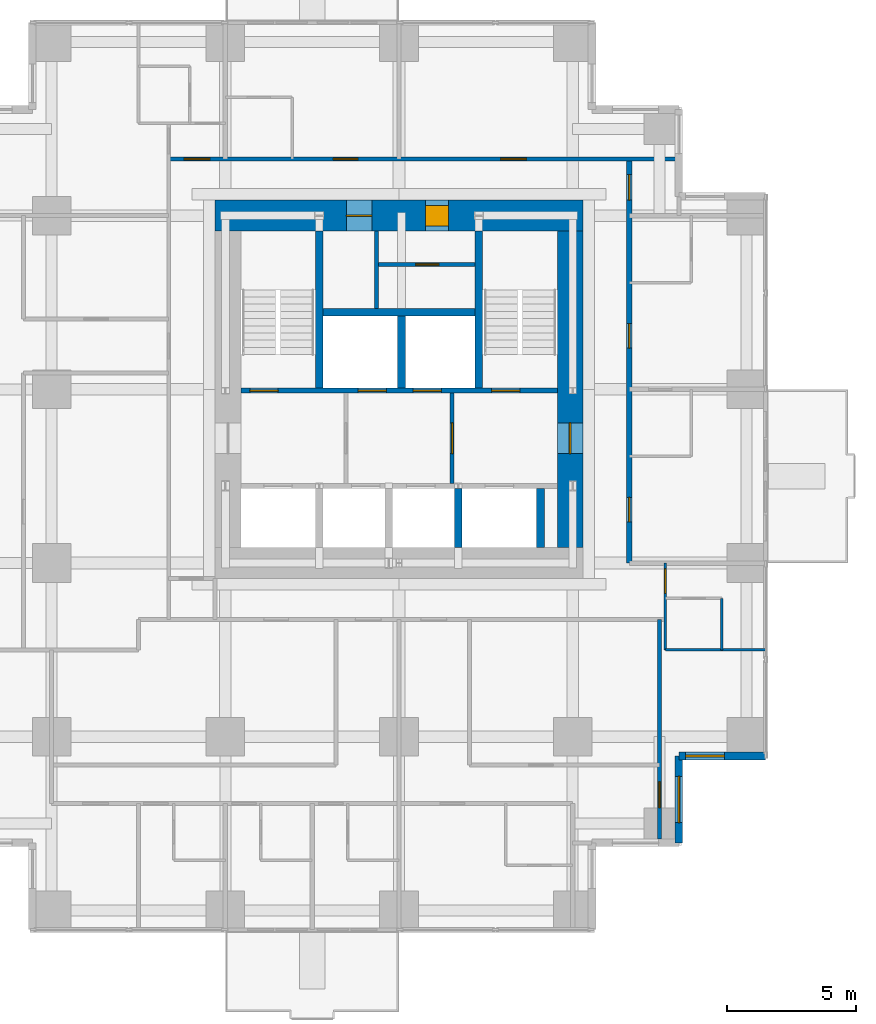
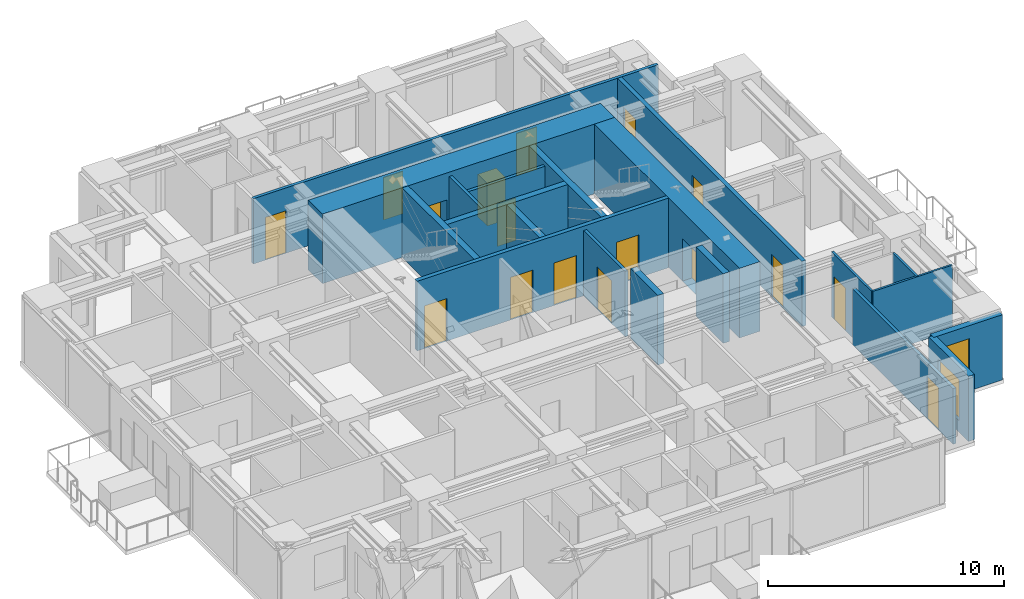
# One storey, part 7 of 10: 20 walls, 17 doors, 2 windows, 19 openings.
"""IFC4 building model written with IfcOpenShell, lengths in metres."""

from ifc_helpers import new_model, si_unit, direction, frame, frame_2d, origin, place, context, subcontext, project, spatial, rectangle, extrude, material, layer, layer_set, type_object, element, fill, save


model = new_model("IFC4")

# Units and contexts
model_context = context("Model", 3, precision=1e-05, world=origin(), true_north=direction((0.0, 1.0)))
body_context = subcontext(model_context, "Body", "Model", "MODEL_VIEW")
ifc_project = project(units=[si_unit("LENGTHUNIT", "METRE"), si_unit("AREAUNIT", "SQUARE_METRE"), si_unit("VOLUMEUNIT", "CUBIC_METRE"), si_unit("PLANEANGLEUNIT", "RADIAN"), si_unit("MASSUNIT", "GRAM", prefix="KILO")], contexts=[model_context])

# Site, building, storey
site_placement = place(None, origin())
site = spatial("IfcSite", under=ifc_project, at=site_placement, CompositionType="ELEMENT")
building_placement = place(site_placement, origin())
building = spatial("IfcBuilding", under=site, at=building_placement, Name="Nyansa Garden Tower", CompositionType="ELEMENT")
storey_placement = place(building_placement, frame((0.0, 0.0, 149.39990234375)))
storey = spatial("IfcBuildingStorey", under=building, at=storey_placement, Name="L40", CompositionType="ELEMENT", Elevation=149.39990234375)

# Wall, openings, doors
ifc_material_1 = material(Name="Concrete C70/85", Category="concrete")
ifc_layer_1 = layer(ifc_material_1, 0.199951171875)
ifc_layer_set_1 = layer_set([ifc_layer_1], Name="Core inner wall CI200")
wall_type_1 = type_object("IfcWallType", Name="Core inner wall CI200", PredefinedType="SHEAR", material=ifc_layer_set_1)
wall_1_placement = place(storey_placement, frame((14.10009765625, 20.199951171875, 0.0), z_axis=(0.0, 0.0, 1.0), x_axis=(1.0, 0.0, 0.0)))
wall_1 = element("IfcWall", 1, at=wall_1_placement, inside=storey, type_object=wall_type_1, Name="Core inner wall L40", PredefinedType="SHEAR", context=body_context, shape_type="SweptSolid", body=[
    extrude(rectangle(XDim=12.2998046875, YDim=0.199951171875, at=frame_2d((6.14990234375, 0.0))), origin(), (0.0, 0.0, 1.0), 3.60009765625),
])
opening_1_placement = place(wall_1_placement, frame((4.56005859375, 0.0, 0.0)))
opening_1 = element("IfcOpeningElement", 2, at=opening_1_placement, cuts=wall_1, Name="Opening LD-B", PredefinedType="OPENING", context=body_context, shape_type="SweptSolid", body=[
    extrude(rectangle(XDim=1.10009765625, YDim=2.199951171875, at=frame_2d((0.550048828125, 1.10009765625))), frame((0.0, 0.10986328125, 0.0), z_axis=(0.0, -1.0, 0.0), x_axis=(1.0, 0.0, 0.0)), (0.0, 0.0, 1.0), 0.219970703125),
])
opening_2_placement = place(wall_1_placement, frame((6.699951171875, 0.0, 0.0)))
opening_2 = element("IfcOpeningElement", 3, at=opening_2_placement, cuts=wall_1, Name="Opening LD-B", PredefinedType="OPENING", context=body_context, shape_type="SweptSolid", body=[
    extrude(rectangle(XDim=1.10009765625, YDim=2.199951171875, at=frame_2d((0.550048828125, 1.10009765625))), frame((0.0, 0.10986328125, 0.0), z_axis=(0.0, -1.0, 0.0), x_axis=(1.0, 0.0, 0.0)), (0.0, 0.0, 1.0), 0.219970703125),
])
opening_3_placement = place(wall_1_placement, frame((0.35009765625, 0.0, 0.0)))
opening_3 = element("IfcOpeningElement", 4, at=opening_3_placement, cuts=wall_1, Name="Opening D05", PredefinedType="OPENING", context=body_context, shape_type="SweptSolid", body=[
    extrude(rectangle(XDim=1.10009765625, YDim=2.199951171875, at=frame_2d((0.550048828125, 1.10009765625))), frame((0.0, 0.10986328125, 0.0), z_axis=(0.0, -1.0, 0.0), x_axis=(1.0, 0.0, 0.0)), (0.0, 0.0, 1.0), 0.219970703125),
])
opening_4_placement = place(wall_1_placement, frame((9.75, 0.0, 0.0)))
opening_4 = element("IfcOpeningElement", 5, at=opening_4_placement, cuts=wall_1, Name="Opening D05", PredefinedType="OPENING", context=body_context, shape_type="SweptSolid", body=[
    extrude(rectangle(XDim=1.10009765625, YDim=2.199951171875, at=frame_2d((0.550048828125, 1.10009765625))), frame((0.0, 0.10986328125, 0.0), z_axis=(0.0, -1.0, 0.0), x_axis=(1.0, 0.0, 0.0)), (0.0, 0.0, 1.0), 0.219970703125),
])
ifc_material_2 = material(Name="Stainless steel centre-opening landing door of the high-rise lift, E 120", Category="steel")
door_type_1 = type_object("IfcDoorType", Name="Lift landing door LD-B 1100x2200", OperationType="DOUBLE_DOOR_SLIDING", PredefinedType="DOOR", material=ifc_material_2)
door_1_placement = place(opening_1_placement, origin())
door_1 = element("IfcDoor", 6, at=door_1_placement, inside=storey, type_object=door_type_1, Name="Landing door B3", OperationType="DOUBLE_DOOR_SLIDING", OverallHeight=2.199951171875, OverallWidth=1.10009765625, PredefinedType="DOOR", context=body_context, shape_type="SweptSolid", body=[
    extrude(rectangle(XDim=1.10009765625, YDim=2.199951171875, at=frame_2d((0.550048828125, 1.10009765625))), frame((0.0, 0.02490234375, 0.0), z_axis=(0.0, -1.0, 0.0), x_axis=(1.0, 0.0, 0.0)), (0.0, 0.0, 1.0), 0.050048828125),
])
fill(opening_1, door_1)
door_2_placement = place(opening_2_placement, origin())
door_2 = element("IfcDoor", 7, at=door_2_placement, inside=storey, type_object=door_type_1, Name="Landing door B4", OperationType="DOUBLE_DOOR_SLIDING", OverallHeight=2.199951171875, OverallWidth=1.10009765625, PredefinedType="DOOR", context=body_context, shape_type="SweptSolid", body=[
    extrude(rectangle(XDim=1.10009765625, YDim=2.199951171875, at=frame_2d((0.550048828125, 1.10009765625))), frame((0.0, 0.02490234375, 0.0), z_axis=(0.0, -1.0, 0.0), x_axis=(1.0, 0.0, 0.0)), (0.0, 0.0, 1.0), 0.050048828125),
])
fill(opening_2, door_2)
ifc_material_3 = material(Name="Steel door, 120 minute fire resisting", Category="steel")
door_type_2 = type_object("IfcDoorType", Name="Stair door D05 1100x2200", OperationType="SINGLE_SWING_LEFT", PredefinedType="DOOR", material=ifc_material_3)
door_3_placement = place(opening_3_placement, origin())
door_3 = element("IfcDoor", 8, at=door_3_placement, inside=storey, type_object=door_type_2, Name="Stair S1 door", OperationType="SINGLE_SWING_LEFT", OverallHeight=2.199951171875, OverallWidth=1.10009765625, PredefinedType="DOOR", context=body_context, shape_type="SweptSolid", body=[
    extrude(rectangle(XDim=1.10009765625, YDim=2.199951171875, at=frame_2d((0.550048828125, 1.10009765625))), frame((0.0, 0.02490234375, 0.0), z_axis=(0.0, -1.0, 0.0), x_axis=(1.0, 0.0, 0.0)), (0.0, 0.0, 1.0), 0.050048828125),
])
fill(opening_3, door_3)
door_4_placement = place(opening_4_placement, origin())
door_4 = element("IfcDoor", 9, at=door_4_placement, inside=storey, type_object=door_type_2, Name="Stair S2 door", OperationType="SINGLE_SWING_LEFT", OverallHeight=2.199951171875, OverallWidth=1.10009765625, PredefinedType="DOOR", context=body_context, shape_type="SweptSolid", body=[
    extrude(rectangle(XDim=1.10009765625, YDim=2.199951171875, at=frame_2d((0.550048828125, 1.10009765625))), frame((0.0, 0.02490234375, 0.0), z_axis=(0.0, -1.0, 0.0), x_axis=(1.0, 0.0, 0.0)), (0.0, 0.0, 1.0), 0.050048828125),
])
fill(opening_4, door_4)

# Walls
ifc_material_4 = material(Name="Concrete C70/85", Category="concrete")
ifc_layer_2 = layer(ifc_material_4, 0.300048828125)
ifc_layer_set_2 = layer_set([ifc_layer_2], Name="Core inner wall CI300")
wall_type_2 = type_object("IfcWallType", Name="Core inner wall CI300", PredefinedType="SHEAR", material=ifc_layer_set_2)
for number, where, z_axis, x_axis, name in (
    (10, (17.14990234375, 20.300048828125, 0.0), (0.0, 0.0, 1.0), (0.0, 1.0, 0.0), "Core inner wall L40"),
    (11, (23.35009765625, 20.300048828125, 0.0), (0.0, 0.0, 1.0), (0.0, 1.0, 0.0), "Core inner wall L40"),
):
    element("IfcWall", number, at=place(storey_placement, frame(where, z_axis=z_axis, x_axis=x_axis)), inside=storey, type_object=wall_type_2, Name=name, PredefinedType="SHEAR", context=body_context, shape_type="SweptSolid", body=[
        extrude(rectangle(XDim=6.099853515625, YDim=0.300048828125, at=frame_2d((3.0498046875, 0.0))), origin(), (0.0, 0.0, 1.0), 3.60009765625),
    ])
wall_2_placement = place(storey_placement, frame((20.35009765625, 20.300048828125, 0.0), z_axis=(0.0, 0.0, 1.0), x_axis=(0.0, 1.0, 0.0)))
element("IfcWall", 12, at=wall_2_placement, inside=storey, type_object=wall_type_2, Name="Core inner wall L40", PredefinedType="SHEAR", context=body_context, shape_type="SweptSolid", body=[
    extrude(rectangle(XDim=2.800048828125, YDim=0.300048828125, at=frame_2d((1.39990234375, 0.0))), origin(), (0.0, 0.0, 1.0), 3.60009765625),
])
wall_3_placement = place(storey_placement, frame((17.300048828125, 23.25, 0.0), z_axis=(0.0, 0.0, 1.0), x_axis=(1.0, 0.0, 0.0)))
element("IfcWall", 13, at=wall_3_placement, inside=storey, type_object=wall_type_2, Name="Core inner wall L40", PredefinedType="SHEAR", context=body_context, shape_type="SweptSolid", body=[
    extrude(rectangle(XDim=5.89990234375, YDim=0.300048828125, at=frame_2d((2.949951171875, 0.0))), origin(), (0.0, 0.0, 1.0), 3.60009765625),
])
for number, where, z_axis, x_axis, name in (
    (14, (22.550048828125, 14.10009765625, 0.0), (0.0, 0.0, 1.0), (0.0, 1.0, 0.0), "Core inner wall L40"),
    (15, (25.75, 14.10009765625, 0.0), (0.0, 0.0, 1.0), (0.0, 1.0, 0.0), "Core inner wall L40"),
):
    element("IfcWall", number, at=place(storey_placement, frame(where, z_axis=z_axis, x_axis=x_axis)), inside=storey, type_object=wall_type_2, Name=name, PredefinedType="SHEAR", context=body_context, shape_type="SweptSolid", body=[
        extrude(rectangle(XDim=2.2998046875, YDim=0.300048828125, at=frame_2d((1.14990234375, 0.0))), origin(), (0.0, 0.0, 1.0), 3.60009765625),
    ])

# Wall, opening, door
ifc_material_5 = material(Name="Concrete C80/95", Category="concrete")
ifc_layer_3 = layer(ifc_material_5, 1.0)
ifc_layer_set_3 = layer_set([ifc_layer_3], Name="Core wall CW1000")
wall_type_3 = type_object("IfcWallType", Name="Core wall CW1000", PredefinedType="SHEAR", material=ifc_layer_set_3)
wall_4_placement = place(storey_placement, frame((26.89990234375, 14.10009765625, 0.0), z_axis=(0.0, 0.0, 1.0), x_axis=(0.0, 1.0, 0.0)))
wall_4 = element("IfcWall", 16, at=wall_4_placement, inside=storey, type_object=wall_type_3, Name="Core wall E L40", PredefinedType="SHEAR", context=body_context, shape_type="SweptSolid", body=[
    extrude(rectangle(XDim=12.2998046875, YDim=1.0, at=frame_2d((6.14990234375, 0.0))), origin(), (0.0, 0.0, 1.0), 3.60009765625),
])
opening_5_placement = place(wall_4_placement, frame((3.64990234375, 0.0, 0.0)))
opening_5 = element("IfcOpeningElement", 17, at=opening_5_placement, cuts=wall_4, Name="Opening D06", PredefinedType="OPENING", context=body_context, shape_type="SweptSolid", body=[
    extrude(rectangle(XDim=1.199951171875, YDim=2.199951171875, at=frame_2d((0.60009765625, 1.10009765625))), frame((0.0, 0.510009765625, 0.0), z_axis=(0.0, -1.0, 0.0), x_axis=(1.0, 0.0, 0.0)), (0.0, 0.0, 1.0), 1.02001953125),
])
ifc_material_6 = material(Name="Steel door, 120 minute fire resisting", Category="steel")
door_type_3 = type_object("IfcDoorType", Name="Lobby door D06 1200x2200", OperationType="DOUBLE_DOOR_SINGLE_SWING", PredefinedType="DOOR", material=ifc_material_6)
door_5_placement = place(opening_5_placement, origin())
door_5 = element("IfcDoor", 18, at=door_5_placement, inside=storey, type_object=door_type_3, Name="Lift lobby door east", OperationType="DOUBLE_DOOR_SINGLE_SWING", OverallHeight=2.199951171875, OverallWidth=1.199951171875, PredefinedType="DOOR", context=body_context, shape_type="SweptSolid", body=[
    extrude(rectangle(XDim=1.199951171875, YDim=2.199951171875, at=frame_2d((0.60009765625, 1.10009765625))), frame((0.0, 0.02490234375, 0.0), z_axis=(0.0, -1.0, 0.0), x_axis=(1.0, 0.0, 0.0)), (0.0, 0.0, 1.0), 0.050048828125),
])
fill(opening_5, door_5)

# Wall, openings, doors
ifc_material_7 = material(Name="Concrete C80/95", Category="concrete")
ifc_layer_4 = layer(ifc_material_7, 1.199951171875)
ifc_layer_set_4 = layer_set([ifc_layer_4], Name="Core wall CW1200")
wall_type_4 = type_object("IfcWallType", Name="Core wall CW1200", PredefinedType="SHEAR", material=ifc_layer_set_4)
wall_5_placement = place(storey_placement, frame((27.39990234375, 27.0, 0.0), z_axis=(0.0, 0.0, 1.0), x_axis=(-1.0, 0.0, 0.0)))
wall_5 = element("IfcWall", 19, at=wall_5_placement, inside=storey, type_object=wall_type_4, Name="Core wall N L40", PredefinedType="SHEAR", context=body_context, shape_type="SweptSolid", body=[
    extrude(rectangle(XDim=14.2998046875, YDim=1.199951171875, at=frame_2d((7.14990234375, 0.0))), origin(), (0.0, 0.0, 1.0), 3.60009765625),
])
opening_6_placement = place(wall_5_placement, frame((5.22509765625, 0.0, 0.0)))
opening_6 = element("IfcOpeningElement", 20, at=opening_6_placement, cuts=wall_5, Name="Opening D15", PredefinedType="OPENING", context=body_context, shape_type="SweptSolid", body=[
    extrude(rectangle(XDim=0.89990234375, YDim=2.199951171875, at=frame_2d((0.449951171875, 1.10009765625))), frame((0.0, 0.60986328125, 0.0), z_axis=(0.0, -1.0, 0.0), x_axis=(1.0, 0.0, 0.0)), (0.0, 0.0, 1.0), 1.219970703125),
])
opening_7_placement = place(wall_5_placement, frame((8.199951171875, 0.0, 0.0)))
opening_7 = element("IfcOpeningElement", 21, at=opening_7_placement, cuts=wall_5, Name="Opening D07", PredefinedType="OPENING", context=body_context, shape_type="SweptSolid", body=[
    extrude(rectangle(XDim=1.0, YDim=2.199951171875, at=frame_2d((0.5, 1.10009765625))), frame((0.0, 0.60986328125, 0.0), z_axis=(0.0, -1.0, 0.0), x_axis=(1.0, 0.0, 0.0)), (0.0, 0.0, 1.0), 1.219970703125),
])
ifc_material_8 = material(Name="Timber flush door, 60 minute fire resisting, self-closing", Category="wood")
door_type_4 = type_object("IfcDoorType", Name="Core room door D15 900x2200", OperationType="SINGLE_SWING_LEFT", PredefinedType="DOOR", material=ifc_material_8)
door_6_placement = place(opening_6_placement, origin())
door_6 = element("IfcDoor", 22, at=door_6_placement, inside=storey, type_object=door_type_4, Name="Core room door", OperationType="SINGLE_SWING_LEFT", OverallHeight=2.199951171875, OverallWidth=0.89990234375, PredefinedType="DOOR", context=body_context, shape_type="SweptSolid", body=[
    extrude(rectangle(XDim=0.89990234375, YDim=2.199951171875, at=frame_2d((0.449951171875, 1.10009765625))), frame((0.0, 0.39990234375, 0.0), z_axis=(0.0, -1.0, 0.0), x_axis=(1.0, 0.0, 0.0)), (0.0, 0.0, 1.0), 0.800048828125),
])
fill(opening_6, door_6)
ifc_material_9 = material(Name="Steel door, 120 minute fire resisting", Category="steel")
door_type_5 = type_object("IfcDoorType", Name="Riser door D07 1000x2200", OperationType="SINGLE_SWING_LEFT", PredefinedType="DOOR", material=ifc_material_9)
door_7_placement = place(opening_7_placement, origin())
door_7 = element("IfcDoor", 23, at=door_7_placement, inside=storey, type_object=door_type_5, Name="Riser and refuse room door", OperationType="SINGLE_SWING_LEFT", OverallHeight=2.199951171875, OverallWidth=1.0, PredefinedType="DOOR", context=body_context, shape_type="SweptSolid", body=[
    extrude(rectangle(XDim=1.0, YDim=2.199951171875, at=frame_2d((0.5, 1.10009765625))), frame((0.0, 0.02490234375, 0.0), z_axis=(0.0, -1.0, 0.0), x_axis=(1.0, 0.0, 0.0)), (0.0, 0.0, 1.0), 0.050048828125),
])
fill(opening_7, door_7)

ifc_material_10 = material(Name="Concrete blockwork, plastered, 60 minute fire resisting", Category="masonry")
ifc_layer_5 = layer(ifc_material_10, 0.199951171875)
ifc_layer_set_5 = layer_set([ifc_layer_5], Name="Corridor wall FW200")
wall_type_5 = type_object("IfcWallType", Name="Corridor wall FW200", PredefinedType="PARTITIONING", material=ifc_layer_set_5)
wall_6_placement = place(storey_placement, frame((29.199951171875, 13.5, 0.0), z_axis=(0.0, 0.0, 1.0), x_axis=(0.0, 1.0, 0.0)))
wall_6 = element("IfcWall", 24, at=wall_6_placement, inside=storey, type_object=wall_type_5, Name="Corridor wall", PredefinedType="PARTITIONING", context=body_context, shape_type="SweptSolid", body=[
    extrude(rectangle(XDim=15.699951171875, YDim=0.199951171875, at=frame_2d((7.85009765625, 0.0))), origin(), (0.0, 0.0, 1.0), 3.375),
])
opening_8_placement = place(wall_6_placement, frame((8.35009765625, 0.0, 0.0)))
opening_8 = element("IfcOpeningElement", 25, at=opening_8_placement, cuts=wall_6, Name="Opening D14", PredefinedType="OPENING", context=body_context, shape_type="SweptSolid", body=[
    extrude(rectangle(XDim=0.949951171875, YDim=2.199951171875, at=frame_2d((0.47509765625, 1.10009765625))), frame((0.0, 0.10986328125, 0.0), z_axis=(0.0, -1.0, 0.0), x_axis=(1.0, 0.0, 0.0)), (0.0, 0.0, 1.0), 0.219970703125),
])
opening_9_placement = place(wall_6_placement, frame((1.60009765625, 0.0, 0.0)))
opening_9 = element("IfcOpeningElement", 26, at=opening_9_placement, cuts=wall_6, Name="Opening D14", PredefinedType="OPENING", context=body_context, shape_type="SweptSolid", body=[
    extrude(rectangle(XDim=0.949951171875, YDim=2.199951171875, at=frame_2d((0.47509765625, 1.10009765625))), frame((0.0, 0.10986328125, 0.0), z_axis=(0.0, -1.0, 0.0), x_axis=(1.0, 0.0, 0.0)), (0.0, 0.0, 1.0), 0.219970703125),
])
opening_10_placement = place(wall_6_placement, frame((14.10009765625, 0.0, 0.0)))
opening_10 = element("IfcOpeningElement", 27, at=opening_10_placement, cuts=wall_6, Name="Opening D03", PredefinedType="OPENING", context=body_context, shape_type="SweptSolid", body=[
    extrude(rectangle(XDim=1.0, YDim=2.199951171875, at=frame_2d((0.5, 1.10009765625))), frame((0.0, 0.10986328125, 0.0), z_axis=(0.0, -1.0, 0.0), x_axis=(1.0, 0.0, 0.0)), (0.0, 0.0, 1.0), 0.219970703125),
])
ifc_material_11 = material(Name="Timber flush door, 60 minute fire resisting", Category="wood")
door_type_6 = type_object("IfcDoorType", Name="Cluster entrance door D03 1000x2200", OperationType="SINGLE_SWING_LEFT", PredefinedType="DOOR", material=ifc_material_11)
door_8_placement = place(opening_10_placement, origin())
door_8 = element("IfcDoor", 28, at=door_8_placement, inside=storey, type_object=door_type_6, Name="Door L40-038", OperationType="SINGLE_SWING_LEFT", OverallHeight=2.199951171875, OverallWidth=1.0, PredefinedType="DOOR", context=body_context, shape_type="SweptSolid", body=[
    extrude(rectangle(XDim=1.0, YDim=2.199951171875, at=frame_2d((0.5, 1.10009765625))), frame((0.0, 0.02490234375, 0.0), z_axis=(0.0, -1.0, 0.0), x_axis=(1.0, 0.0, 0.0)), (0.0, 0.0, 1.0), 0.050048828125),
])
fill(opening_10, door_8)
ifc_material_12 = material(Name="Timber flush door, 60 minute fire resisting, self-closing", Category="wood")
door_type_7 = type_object("IfcDoorType", Name="Studio entrance door D14 950x2200", OperationType="SINGLE_SWING_LEFT", PredefinedType="DOOR", material=ifc_material_12)
door_9_placement = place(opening_8_placement, origin())
door_9 = element("IfcDoor", 29, at=door_9_placement, inside=storey, type_object=door_type_7, Name="Door L40-032", OperationType="SINGLE_SWING_LEFT", OverallHeight=2.199951171875, OverallWidth=0.949951171875, PredefinedType="DOOR", context=body_context, shape_type="SweptSolid", body=[
    extrude(rectangle(XDim=0.949951171875, YDim=2.199951171875, at=frame_2d((0.47509765625, 1.10009765625))), frame((0.0, 0.02490234375, 0.0), z_axis=(0.0, -1.0, 0.0), x_axis=(1.0, 0.0, 0.0)), (0.0, 0.0, 1.0), 0.050048828125),
])
fill(opening_8, door_9)
door_10_placement = place(opening_9_placement, origin())
door_10 = element("IfcDoor", 30, at=door_10_placement, inside=storey, type_object=door_type_7, Name="Door L40-034", OperationType="SINGLE_SWING_LEFT", OverallHeight=2.199951171875, OverallWidth=0.949951171875, PredefinedType="DOOR", context=body_context, shape_type="SweptSolid", body=[
    extrude(rectangle(XDim=0.949951171875, YDim=2.199951171875, at=frame_2d((0.47509765625, 1.10009765625))), frame((0.0, 0.02490234375, 0.0), z_axis=(0.0, -1.0, 0.0), x_axis=(1.0, 0.0, 0.0)), (0.0, 0.0, 1.0), 0.050048828125),
])
fill(opening_9, door_10)

# Wall, opening, door
ifc_material_13 = material(Name="Blockwork, plastered both sides", Category="masonry")
ifc_layer_6 = layer(ifc_material_13, 0.14990234375)
ifc_layer_set_6 = layer_set([ifc_layer_6], Name="Partition PW150")
wall_type_6 = type_object("IfcWallType", Name="Partition PW150", PredefinedType="PARTITIONING", material=ifc_layer_set_6)
wall_7_placement = place(storey_placement, frame((22.31494140625, 16.60009765625, 0.0), z_axis=(0.0, 0.0, 1.0), x_axis=(0.0, 1.0, 0.0)))
wall_7 = element("IfcWall", 31, at=wall_7_placement, inside=storey, type_object=wall_type_6, Name="Partition", PredefinedType="PARTITIONING", context=body_context, shape_type="SweptSolid", body=[
    extrude(rectangle(XDim=3.5, YDim=0.14990234375, at=frame_2d((1.75, 0.0))), origin(), (0.0, 0.0, 1.0), 3.375),
])
opening_11_placement = place(wall_7_placement, frame((1.14990234375, 0.0, 0.0)))
opening_11 = element("IfcOpeningElement", 32, at=opening_11_placement, cuts=wall_7, Name="Opening D06", PredefinedType="OPENING", context=body_context, shape_type="SweptSolid", body=[
    extrude(rectangle(XDim=1.199951171875, YDim=2.199951171875, at=frame_2d((0.60009765625, 1.10009765625))), frame((0.0, 0.0849609375, 0.0), z_axis=(0.0, -1.0, 0.0), x_axis=(1.0, 0.0, 0.0)), (0.0, 0.0, 1.0), 0.169921875),
])
door_11_placement = place(opening_11_placement, origin())
door_11 = element("IfcDoor", 33, at=door_11_placement, inside=storey, type_object=door_type_3, Name="Passenger lift lobby door", OperationType="DOUBLE_DOOR_SINGLE_SWING", OverallHeight=2.199951171875, OverallWidth=1.199951171875, PredefinedType="DOOR", context=body_context, shape_type="SweptSolid", body=[
    extrude(rectangle(XDim=1.199951171875, YDim=2.199951171875, at=frame_2d((0.60009765625, 1.10009765625))), frame((0.0, 0.02490234375, 0.0), z_axis=(0.0, -1.0, 0.0), x_axis=(1.0, 0.0, 0.0)), (0.0, 0.0, 1.0), 0.050048828125),
])
fill(opening_11, door_11)

# Wall
wall_8_placement = place(storey_placement, frame((19.375, 23.39990234375, 0.0), z_axis=(0.0, 0.0, 1.0), x_axis=(0.0, 1.0, 0.0)))
element("IfcWall", 34, at=wall_8_placement, inside=storey, type_object=wall_type_6, Name="Partition", PredefinedType="PARTITIONING", context=body_context, shape_type="SweptSolid", body=[
    extrude(rectangle(XDim=3.0, YDim=0.14990234375, at=frame_2d((1.5, 0.0))), origin(), (0.0, 0.0, 1.0), 3.375),
])

# Wall, opening, door
wall_9_placement = place(storey_placement, frame((19.449951171875, 25.10009765625, 0.0), z_axis=(0.0, 0.0, 1.0), x_axis=(1.0, 0.0, 0.0)))
wall_9 = element("IfcWall", 35, at=wall_9_placement, inside=storey, type_object=wall_type_6, Name="Partition", PredefinedType="PARTITIONING", context=body_context, shape_type="SweptSolid", body=[
    extrude(rectangle(XDim=3.75, YDim=0.14990234375, at=frame_2d((1.875, 0.0))), origin(), (0.0, 0.0, 1.0), 3.375),
])
opening_12_placement = place(wall_9_placement, frame((1.449951171875, 0.0, 0.0)))
opening_12 = element("IfcOpeningElement", 36, at=opening_12_placement, cuts=wall_9, Name="Opening D02", PredefinedType="OPENING", context=body_context, shape_type="SweptSolid", body=[
    extrude(rectangle(XDim=0.89990234375, YDim=2.199951171875, at=frame_2d((0.449951171875, 1.10009765625))), frame((0.0, 0.0849609375, 0.0), z_axis=(0.0, -1.0, 0.0), x_axis=(1.0, 0.0, 0.0)), (0.0, 0.0, 1.0), 0.169921875),
])
ifc_material_14 = material(Name="Timber flush door", Category="wood")
door_type_8 = type_object("IfcDoorType", Name="En-suite door D02 900x2200", OperationType="SINGLE_SWING_RIGHT", PredefinedType="DOOR", material=ifc_material_14)
door_12_placement = place(opening_12_placement, origin())
door_12 = element("IfcDoor", 37, at=door_12_placement, inside=storey, type_object=door_type_8, Name="Staff WC door", OperationType="SINGLE_SWING_RIGHT", OverallHeight=2.199951171875, OverallWidth=0.89990234375, PredefinedType="DOOR", context=body_context, shape_type="SweptSolid", body=[
    extrude(rectangle(XDim=0.89990234375, YDim=2.199951171875, at=frame_2d((0.449951171875, 1.10009765625))), frame((0.0, 0.02490234375, 0.0), z_axis=(0.0, -1.0, 0.0), x_axis=(1.0, 0.0, 0.0)), (0.0, 0.0, 1.0), 0.050048828125),
])
fill(opening_12, door_12)

# Wall, openings, doors
wall_10_placement = place(storey_placement, frame((11.300048828125, 29.199951171875, 0.0), z_axis=(0.0, 0.0, 1.0), x_axis=(1.0, 0.0, 0.0)))
wall_10 = element("IfcWall", 38, at=wall_10_placement, inside=storey, type_object=wall_type_6, Name="Partition", PredefinedType="PARTITIONING", context=body_context, shape_type="SweptSolid", body=[
    extrude(rectangle(XDim=19.808837890625, YDim=0.14990234375, at=frame_2d((9.904296875, 0.0))), origin(), (0.0, 0.0, 1.0), 3.375),
])
opening_13_placement = place(wall_10_placement, frame((12.89990234375, 0.0, 0.0)))
opening_13 = element("IfcOpeningElement", 39, at=opening_13_placement, cuts=wall_10, Name="Opening D03", PredefinedType="OPENING", context=body_context, shape_type="SweptSolid", body=[
    extrude(rectangle(XDim=1.0, YDim=2.199951171875, at=frame_2d((0.5, 1.10009765625))), frame((0.0, 0.0849609375, 0.0), z_axis=(0.0, -1.0, 0.0), x_axis=(1.0, 0.0, 0.0)), (0.0, 0.0, 1.0), 0.169921875),
])
opening_14_placement = place(wall_10_placement, frame((6.39990234375, 0.0, 0.0)))
opening_14 = element("IfcOpeningElement", 40, at=opening_14_placement, cuts=wall_10, Name="Opening D14", PredefinedType="OPENING", context=body_context, shape_type="SweptSolid", body=[
    extrude(rectangle(XDim=0.949951171875, YDim=2.199951171875, at=frame_2d((0.47509765625, 1.10009765625))), frame((0.0, 0.0849609375, 0.0), z_axis=(0.0, -1.0, 0.0), x_axis=(1.0, 0.0, 0.0)), (0.0, 0.0, 1.0), 0.169921875),
])
opening_15_placement = place(wall_10_placement, frame((0.60009765625, 0.0, 0.0)))
opening_15 = element("IfcOpeningElement", 41, at=opening_15_placement, cuts=wall_10, Name="Opening D03", PredefinedType="OPENING", context=body_context, shape_type="SweptSolid", body=[
    extrude(rectangle(XDim=1.0, YDim=2.199951171875, at=frame_2d((0.5, 1.10009765625))), frame((0.0, 0.0849609375, 0.0), z_axis=(0.0, -1.0, 0.0), x_axis=(1.0, 0.0, 0.0)), (0.0, 0.0, 1.0), 0.169921875),
])
door_13_placement = place(opening_13_placement, origin())
door_13 = element("IfcDoor", 42, at=door_13_placement, inside=storey, type_object=door_type_6, Name="Door L40-039", OperationType="SINGLE_SWING_LEFT", OverallHeight=2.199951171875, OverallWidth=1.0, PredefinedType="DOOR", context=body_context, shape_type="SweptSolid", body=[
    extrude(rectangle(XDim=1.0, YDim=2.199951171875, at=frame_2d((0.5, 1.10009765625))), frame((0.0, 0.02490234375, 0.0), z_axis=(0.0, -1.0, 0.0), x_axis=(1.0, 0.0, 0.0)), (0.0, 0.0, 1.0), 0.050048828125),
])
fill(opening_13, door_13)
door_14_placement = place(opening_15_placement, origin())
door_14 = element("IfcDoor", 43, at=door_14_placement, inside=storey, type_object=door_type_6, Name="Door L40-044", OperationType="SINGLE_SWING_LEFT", OverallHeight=2.199951171875, OverallWidth=1.0, PredefinedType="DOOR", context=body_context, shape_type="SweptSolid", body=[
    extrude(rectangle(XDim=1.0, YDim=2.199951171875, at=frame_2d((0.5, 1.10009765625))), frame((0.0, 0.02490234375, 0.0), z_axis=(0.0, -1.0, 0.0), x_axis=(1.0, 0.0, 0.0)), (0.0, 0.0, 1.0), 0.050048828125),
])
fill(opening_15, door_14)
door_15_placement = place(opening_14_placement, origin())
door_15 = element("IfcDoor", 44, at=door_15_placement, inside=storey, type_object=door_type_7, Name="Door L40-040", OperationType="SINGLE_SWING_LEFT", OverallHeight=2.199951171875, OverallWidth=0.949951171875, PredefinedType="DOOR", context=body_context, shape_type="SweptSolid", body=[
    extrude(rectangle(XDim=0.949951171875, YDim=2.199951171875, at=frame_2d((0.47509765625, 1.10009765625))), frame((0.0, 0.02490234375, 0.0), z_axis=(0.0, -1.0, 0.0), x_axis=(1.0, 0.0, 0.0)), (0.0, 0.0, 1.0), 0.050048828125),
])
fill(opening_14, door_15)

# Wall, opening, door
wall_11_placement = place(storey_placement, frame((30.375, 2.77490234375, 0.0), z_axis=(0.0, 0.0, 1.0), x_axis=(0.0, 1.0, 0.0)))
wall_11 = element("IfcWall", 45, at=wall_11_placement, inside=storey, type_object=wall_type_6, Name="Partition", PredefinedType="PARTITIONING", context=body_context, shape_type="SweptSolid", body=[
    extrude(rectangle(XDim=8.525146484375, YDim=0.14990234375, at=frame_2d((4.2626953125, 0.0))), origin(), (0.0, 0.0, 1.0), 2.877197265625),
])
opening_16_placement = place(wall_11_placement, frame((1.216064453125, 0.0, 0.0)))
opening_16 = element("IfcOpeningElement", 46, at=opening_16_placement, cuts=wall_11, Name="Opening D03", PredefinedType="OPENING", context=body_context, shape_type="SweptSolid", body=[
    extrude(rectangle(XDim=1.0, YDim=2.199951171875, at=frame_2d((0.5, 1.10009765625))), frame((0.0, 0.0849609375, 0.0), z_axis=(0.0, -1.0, 0.0), x_axis=(1.0, 0.0, 0.0)), (0.0, 0.0, 1.0), 0.169921875),
])
door_16_placement = place(opening_16_placement, origin())
door_16 = element("IfcDoor", 47, at=door_16_placement, inside=storey, type_object=door_type_6, Name="Door L40-031", OperationType="SINGLE_SWING_LEFT", OverallHeight=2.199951171875, OverallWidth=1.0, PredefinedType="DOOR", context=body_context, shape_type="SweptSolid", body=[
    extrude(rectangle(XDim=1.0, YDim=2.199951171875, at=frame_2d((0.5, 1.10009765625))), frame((0.0, 0.02490234375, 0.0), z_axis=(0.0, -1.0, 0.0), x_axis=(1.0, 0.0, 0.0)), (0.0, 0.0, 1.0), 0.050048828125),
])
fill(opening_16, door_16)

# Wall, opening, window
ifc_material_15 = material(Name="Turquoise glazed tile on concrete blockwork", Category="masonry")
ifc_layer_7 = layer(ifc_material_15, 0.300048828125)
ifc_layer_set_7 = layer_set([ifc_layer_7], Name="Tiled corner wall TW300")
wall_type_7 = type_object("IfcWallType", Name="Tiled corner wall TW300", PredefinedType="SOLIDWALL", material=ifc_layer_set_7)
wall_12_placement = place(storey_placement, frame((31.125, 2.625, 0.0), z_axis=(0.0, 0.0, 1.0), x_axis=(0.0, 1.0, 0.0)))
wall_12 = element("IfcWall", 48, at=wall_12_placement, inside=storey, type_object=wall_type_7, Name="Tiled corner wall L40", PredefinedType="SOLIDWALL", context=body_context, shape_type="SweptSolid", body=[
    extrude(rectangle(XDim=3.375, YDim=0.300048828125, at=frame_2d((1.6875, 0.0))), origin(), (0.0, 0.0, 1.0), 3.375),
])
opening_17_placement = place(wall_12_placement, frame((0.78759765625, 0.0, 0.60009765625)))
opening_17 = element("IfcOpeningElement", 49, at=opening_17_placement, cuts=wall_12, Name="Opening W2", PredefinedType="OPENING", context=body_context, shape_type="SweptSolid", body=[
    extrude(rectangle(XDim=1.800048828125, YDim=2.10009765625, at=frame_2d((0.89990234375, 1.050048828125))), frame((0.0, 0.159912109375, 0.0), z_axis=(0.0, -1.0, 0.0), x_axis=(1.0, 0.0, 0.0)), (0.0, 0.0, 1.0), 0.320068359375),
])
ifc_material_16 = material(Name="Black aluminium frame, dark tinted double glazing", Category="aluminium")
window_type_1 = type_object("IfcWindowType", Name="Window W2 1800x2100", PartitioningType="SINGLE_PANEL", PredefinedType="WINDOW", material=ifc_material_16)
window_1_placement = place(opening_17_placement, origin())
window_1 = element("IfcWindow", 50, at=window_1_placement, inside=storey, type_object=window_type_1, Name="Corner window L40", OverallHeight=2.10009765625, OverallWidth=1.800048828125, PartitioningType="SINGLE_PANEL", PredefinedType="WINDOW", context=body_context, shape_type="SweptSolid", body=[
    extrude(rectangle(XDim=1.800048828125, YDim=2.10009765625, at=frame_2d((0.89990234375, 1.050048828125))), frame((0.0, 0.030029296875, 0.0), z_axis=(0.0, -1.0, 0.0), x_axis=(1.0, 0.0, 0.0)), (0.0, 0.0, 1.0), 0.06005859375),
])
fill(opening_17, window_1)

wall_13_placement = place(storey_placement, frame((31.125, 6.0, 0.0), z_axis=(0.0, 0.0, 1.0), x_axis=(1.0, 0.0, 0.0)))
wall_13 = element("IfcWall", 51, at=wall_13_placement, inside=storey, type_object=wall_type_7, Name="Tiled corner wall L40", PredefinedType="SOLIDWALL", context=body_context, shape_type="SweptSolid", body=[
    extrude(rectangle(XDim=3.375, YDim=0.300048828125, at=frame_2d((1.6875, 0.0))), origin(), (0.0, 0.0, 1.0), 3.375),
])
opening_18_placement = place(wall_13_placement, frame((0.267578125, 0.0, 0.89990234375)))
opening_18 = element("IfcOpeningElement", 52, at=opening_18_placement, cuts=wall_13, Name="Opening W1", PredefinedType="OPENING", context=body_context, shape_type="SweptSolid", body=[
    extrude(rectangle(XDim=1.5, YDim=1.800048828125, at=frame_2d((0.75, 0.89990234375))), frame((0.0, 0.159912109375, 0.0), z_axis=(0.0, -1.0, 0.0), x_axis=(1.0, 0.0, 0.0)), (0.0, 0.0, 1.0), 0.320068359375),
])
ifc_material_17 = material(Name="Black aluminium frame, dark tinted double glazing", Category="aluminium")
window_type_2 = type_object("IfcWindowType", Name="Window W1 1500x1800", PartitioningType="SINGLE_PANEL", PredefinedType="WINDOW", material=ifc_material_17)
window_2_placement = place(opening_18_placement, origin())
window_2 = element("IfcWindow", 53, at=window_2_placement, inside=storey, type_object=window_type_2, Name="Corner window L40", OverallHeight=1.800048828125, OverallWidth=1.5, PartitioningType="SINGLE_PANEL", PredefinedType="WINDOW", context=body_context, shape_type="SweptSolid", body=[
    extrude(rectangle(XDim=1.5, YDim=1.800048828125, at=frame_2d((0.75, 0.89990234375))), frame((0.0, 0.030029296875, 0.0), z_axis=(0.0, -1.0, 0.0), x_axis=(1.0, 0.0, 0.0)), (0.0, 0.0, 1.0), 0.06005859375),
])
fill(opening_18, window_2)

# Wall, opening, door
ifc_material_18 = material(Name="Moisture resistant board on steel studs, tiled", Category="steel")
ifc_layer_8 = layer(ifc_material_18, 0.10009765625)
ifc_layer_set_8 = layer_set([ifc_layer_8], Name="Wet wall PW100")
wall_type_8 = type_object("IfcWallType", Name="Wet wall PW100", PredefinedType="PARTITIONING", material=ifc_layer_set_8)
wall_14_placement = place(storey_placement, frame((30.60009765625, 10.125, 0.0), z_axis=(0.0, 0.0, 1.0), x_axis=(0.0, 1.0, 0.0)))
wall_14 = element("IfcWall", 54, at=wall_14_placement, inside=storey, type_object=wall_type_8, Name="Wet wall", PredefinedType="PARTITIONING", context=body_context, shape_type="SweptSolid", body=[
    extrude(rectangle(XDim=3.375, YDim=0.10009765625, at=frame_2d((1.6875, 0.0))), origin(), (0.0, 0.0, 1.0), 3.375),
])
opening_19_placement = place(wall_14_placement, frame((2.199951171875, 0.0, 0.0)))
opening_19 = element("IfcOpeningElement", 55, at=opening_19_placement, cuts=wall_14, Name="Opening D14", PredefinedType="OPENING", context=body_context, shape_type="SweptSolid", body=[
    extrude(rectangle(XDim=0.949951171875, YDim=2.199951171875, at=frame_2d((0.47509765625, 1.10009765625))), frame((0.0, 0.06005859375, 0.0), z_axis=(0.0, -1.0, 0.0), x_axis=(1.0, 0.0, 0.0)), (0.0, 0.0, 1.0), 0.1201171875),
])
door_17_placement = place(opening_19_placement, origin())
door_17 = element("IfcDoor", 56, at=door_17_placement, inside=storey, type_object=door_type_7, Name="Door L40-036", OperationType="SINGLE_SWING_LEFT", OverallHeight=2.199951171875, OverallWidth=0.949951171875, PredefinedType="DOOR", context=body_context, shape_type="SweptSolid", body=[
    extrude(rectangle(XDim=0.949951171875, YDim=2.199951171875, at=frame_2d((0.47509765625, 1.10009765625))), frame((0.0, 0.02490234375, 0.0), z_axis=(0.0, -1.0, 0.0), x_axis=(1.0, 0.0, 0.0)), (0.0, 0.0, 1.0), 0.050048828125),
])
fill(opening_19, door_17)

# Walls
wall_15_placement = place(storey_placement, frame((30.60009765625, 10.125, 0.0), z_axis=(0.0, 0.0, 1.0), x_axis=(1.0, 0.0, 0.0)))
element("IfcWall", 57, at=wall_15_placement, inside=storey, type_object=wall_type_8, Name="Wet wall", PredefinedType="PARTITIONING", context=body_context, shape_type="SweptSolid", body=[
    extrude(rectangle(XDim=3.8837890625, YDim=0.10009765625, at=frame_2d((1.94189453125, 0.0))), origin(), (0.0, 0.0, 1.0), 3.375),
])
wall_16_placement = place(storey_placement, frame((32.800048828125, 10.125, 0.0), z_axis=(0.0, 0.0, 1.0), x_axis=(0.0, 1.0, 0.0)))
element("IfcWall", 58, at=wall_16_placement, inside=storey, type_object=wall_type_8, Name="Wet wall", PredefinedType="PARTITIONING", context=body_context, shape_type="SweptSolid", body=[
    extrude(rectangle(XDim=2.0, YDim=0.10009765625, at=frame_2d((1.0, 0.0))), origin(), (0.0, 0.0, 1.0), 3.375),
])

save(model, "model.ifc")
